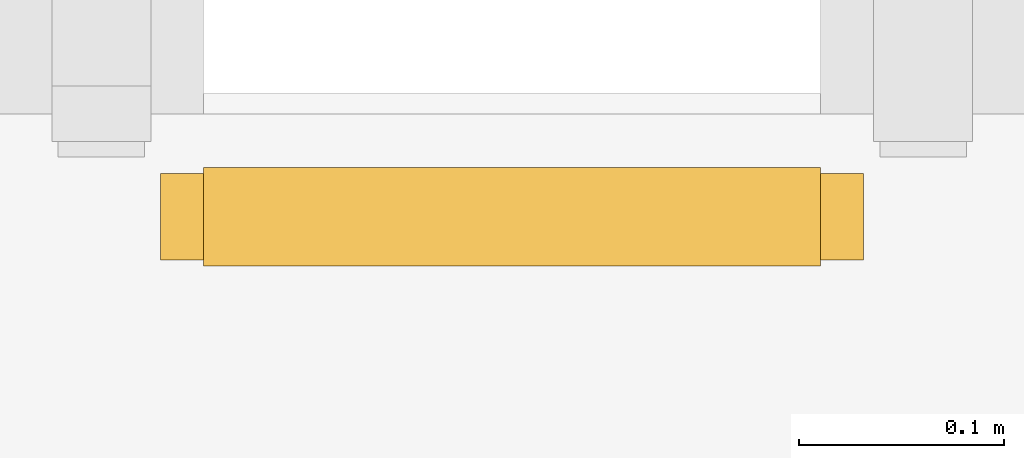
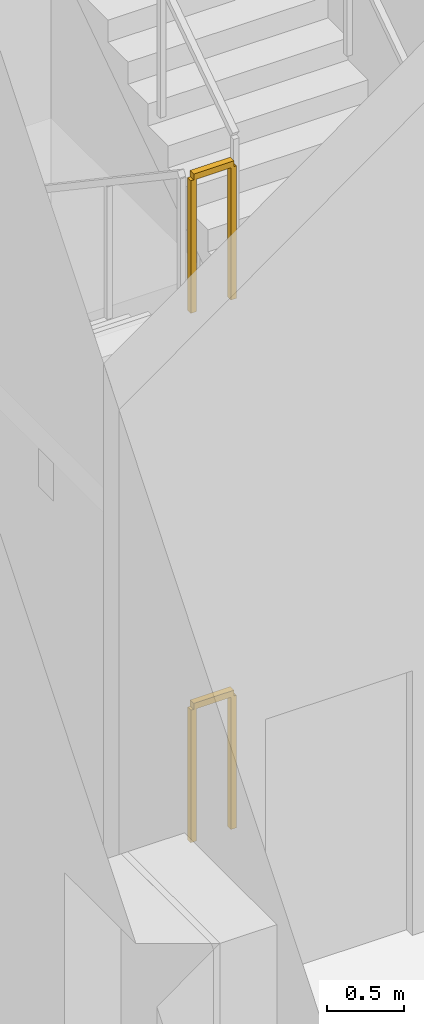
# One storey, part 7 of 13: 2 railings.
"""IFC4 building model written with IfcOpenShell, lengths in metres."""

from ifc_helpers import new_model, si_unit, direction, frame, origin, origin_2d, place, context, subcontext, project, spatial, rectangle, extrude, material, type_object, element, save


model = new_model("IFC4")

# Units and contexts
model_context = context("Model", 3, precision=1e-05, world=origin(), true_north=direction((0.0, 1.0)))
body_context = subcontext(model_context, "Body", "Model", "MODEL_VIEW")
ifc_project = project(units=[si_unit("LENGTHUNIT", "METRE"), si_unit("AREAUNIT", "SQUARE_METRE"), si_unit("VOLUMEUNIT", "CUBIC_METRE"), si_unit("PLANEANGLEUNIT", "RADIAN"), si_unit("MASSUNIT", "GRAM", prefix="KILO")], contexts=[model_context])

# Site, building, storey
site_placement = place(None, origin())
site = spatial("IfcSite", under=ifc_project, at=site_placement, CompositionType="ELEMENT")
building_placement = place(site_placement, origin())
building = spatial("IfcBuilding", under=site, at=building_placement, Name="Rattan Terrace Tower", CompositionType="ELEMENT")
storey_placement = place(building_placement, frame((0.0, 0.0, 199.699951171875)))
storey = spatial("IfcBuildingStorey", under=building, at=storey_placement, Name="L46", CompositionType="ELEMENT", Elevation=199.699951171875)

# Railings
ifc_material = material(Name="Powder-coated steel guard", Category="steel")
railing_type = type_object("IfcRailingType", Name="Core stair guard", PredefinedType="GUARDRAIL", material=ifc_material)
for number, where, name in (
    (1, (-15.300048828125, 1.64990234375, 4.199951171875), "L46 S1 stair guard 4"),
    (2, (-15.300048828125, 1.64990234375, 0.0), "L46 S1 stair guard 8"),
):
    element("IfcRailing", number, at=place(storey_placement, frame(where)), inside=storey, type_object=railing_type, Name=name, PredefinedType="GUARDRAIL", context=body_context, shape_type="SweptSolid", body=[
        extrude(rectangle(XDim=0.048095703125, YDim=0.048095703125, at=origin_2d()), frame((0.0, 0.0, 1.076171875), z_axis=(-1.0, 0.0, 0.0), x_axis=(0.0, -1.0, 0.0)), (0.0, 0.0, 1.0), 0.300048828125),
        extrude(rectangle(XDim=0.0419921875, YDim=0.0419921875, at=origin_2d()), origin(), (0.0, 0.0, 1.0), 1.052001953125),
        extrude(rectangle(XDim=0.0419921875, YDim=0.0419921875, at=origin_2d()), frame((-0.300048828125, 0.0, 0.0)), (0.0, 0.0, 1.0), 1.052001953125),
    ])

save(model, "model.ifc")
